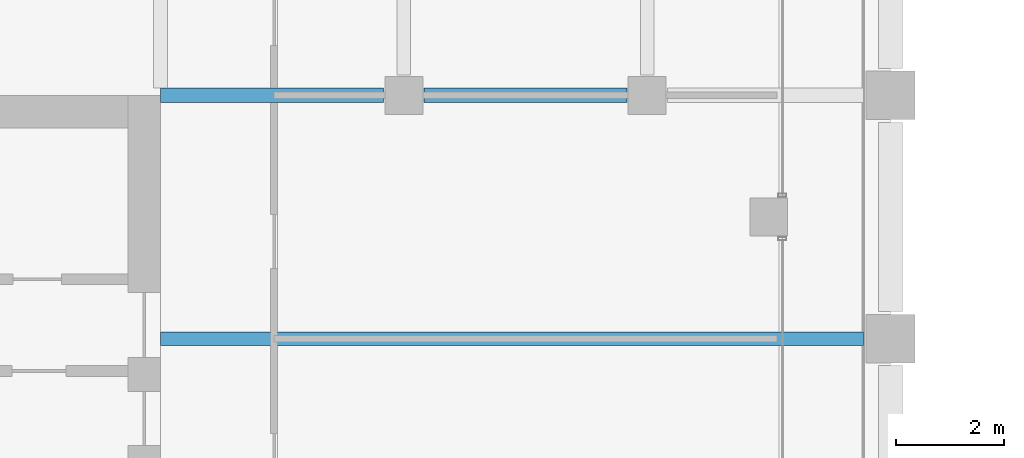
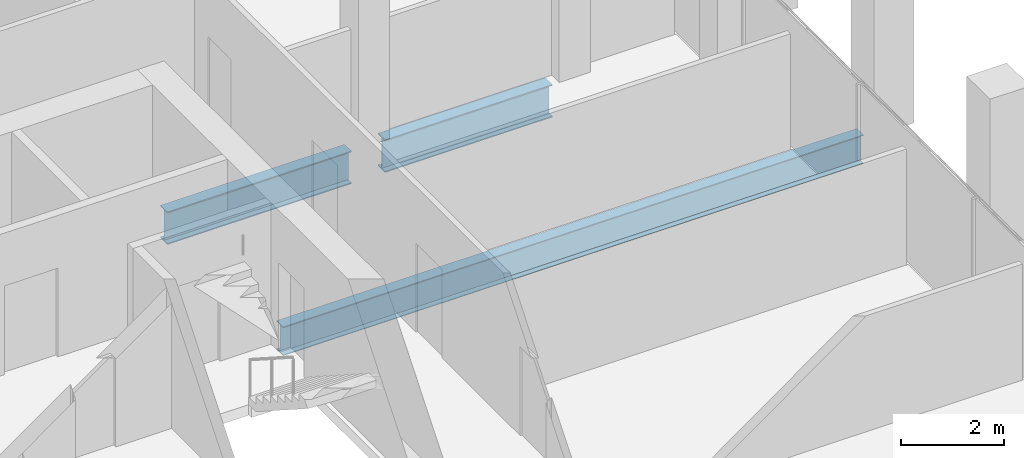
# One storey, part 18 of 44: 3 beams.
"""IFC4 building model written with IfcOpenShell, lengths in metres."""

from ifc_helpers import new_model, si_unit, direction, frame, origin, origin_2d, place, context, subcontext, project, spatial, i_section, extrude, material, material_profile, profile_set, type_object, element, save


model = new_model("IFC4")

# Units and contexts
model_context = context("Model", 3, precision=1e-05, world=origin(), true_north=direction((0.0, 1.0)))
body_context = subcontext(model_context, "Body", "Model", "MODEL_VIEW")
ifc_project = project(units=[si_unit("LENGTHUNIT", "METRE"), si_unit("AREAUNIT", "SQUARE_METRE"), si_unit("VOLUMEUNIT", "CUBIC_METRE"), si_unit("PLANEANGLEUNIT", "RADIAN"), si_unit("MASSUNIT", "GRAM", prefix="KILO")], contexts=[model_context])

# Site, building, storey
site_placement = place(None, origin())
site = spatial("IfcSite", under=ifc_project, at=site_placement, CompositionType="ELEMENT")
building_placement = place(site_placement, origin())
building = spatial("IfcBuilding", under=site, at=building_placement, Name="Altepetl Exchange Towers", CompositionType="ELEMENT")
storey_placement = place(building_placement, frame((0.0, 0.0, 143.800048828125)))
storey = spatial("IfcBuildingStorey", under=building, at=storey_placement, Name="L35", CompositionType="ELEMENT", Elevation=143.800048828125)

# Beams
ifc_material = material(Name="Steel S355", Category="steel")
ifc_material_profile_1 = material_profile(ifc_material, i_section(OverallWidth=0.25390625, OverallDepth=0.68408203125, WebThickness=0.012451171875, FlangeThickness=0.018798828125, at=origin_2d()), Name="W27X94")
ifc_profile_set_1 = profile_set([ifc_material_profile_1], Name="Steel S355")
beam_type_1 = type_object("IfcBeamType", Name="Floor beam W27X94", PredefinedType="BEAM", material=ifc_profile_set_1)
beam_1_placement = place(storey_placement, frame((58.5, 54.0, -0.491943359375), z_axis=(1.0, 0.0, 0.0), x_axis=(0.0, 1.0, 0.0)))
element("IfcBeam", 1, at=beam_1_placement, inside=storey, type_object=beam_type_1, Name="bm:A:L35:011", PredefinedType="BEAM", context=body_context, shape_type="SweptSolid", body=[
    extrude(i_section(OverallWidth=0.25390625, OverallDepth=0.68408203125, WebThickness=0.012451171875, FlangeThickness=0.018798828125, at=origin_2d()), origin(), (0.0, 0.0, 1.0), 13.0),
])
ifc_material_profile_2 = material_profile(ifc_material, i_section(OverallWidth=0.26806640625, OverallDepth=0.77392578125, WebThickness=0.015380859375, FlangeThickness=0.025390625, at=origin_2d()), Name="W30X132")
ifc_profile_set_2 = profile_set([ifc_material_profile_2], Name="Steel S355")
beam_type_2 = type_object("IfcBeamType", Name="Girder W30X132", PredefinedType="BEAM", material=ifc_profile_set_2)
beam_2_placement = place(storey_placement, frame((58.5, 58.5, -0.537109375), z_axis=(1.0, 0.0, 0.0), x_axis=(0.0, 1.0, 0.0)))
element("IfcBeam", 2, at=beam_2_placement, inside=storey, type_object=beam_type_2, Name="gd:A:L35:000", PredefinedType="BEAM", context=body_context, shape_type="SweptSolid", body=[
    extrude(i_section(OverallWidth=0.26806640625, OverallDepth=0.77392578125, WebThickness=0.015380859375, FlangeThickness=0.025390625, at=origin_2d()), origin(), (0.0, 0.0, 1.0), 4.125),
])
beam_3_placement = place(storey_placement, frame((63.375, 58.5, -0.537109375), z_axis=(1.0, 0.0, 0.0), x_axis=(0.0, 1.0, 0.0)))
element("IfcBeam", 3, at=beam_3_placement, inside=storey, type_object=beam_type_2, Name="gd:A:L35:001", PredefinedType="BEAM", context=body_context, shape_type="SweptSolid", body=[
    extrude(i_section(OverallWidth=0.26806640625, OverallDepth=0.77392578125, WebThickness=0.015380859375, FlangeThickness=0.025390625, at=origin_2d()), origin(), (0.0, 0.0, 1.0), 3.75),
])

save(model, "model.ifc")
